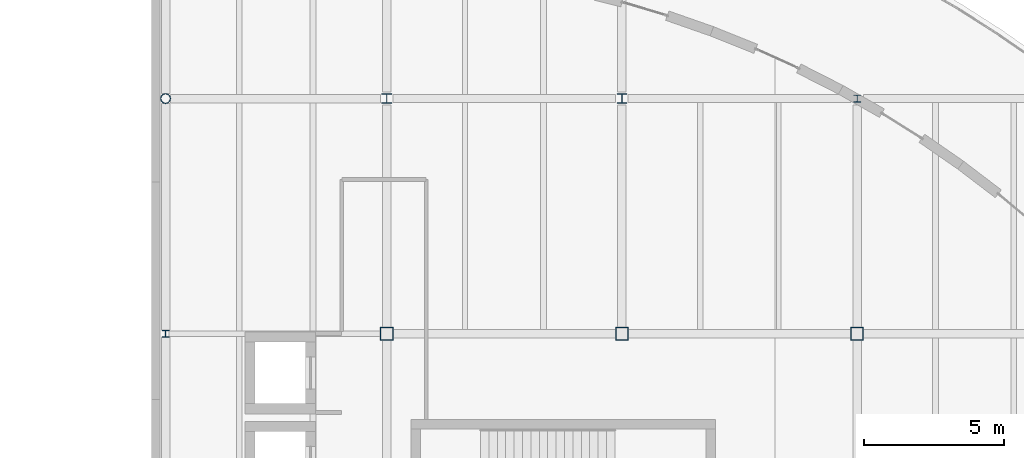
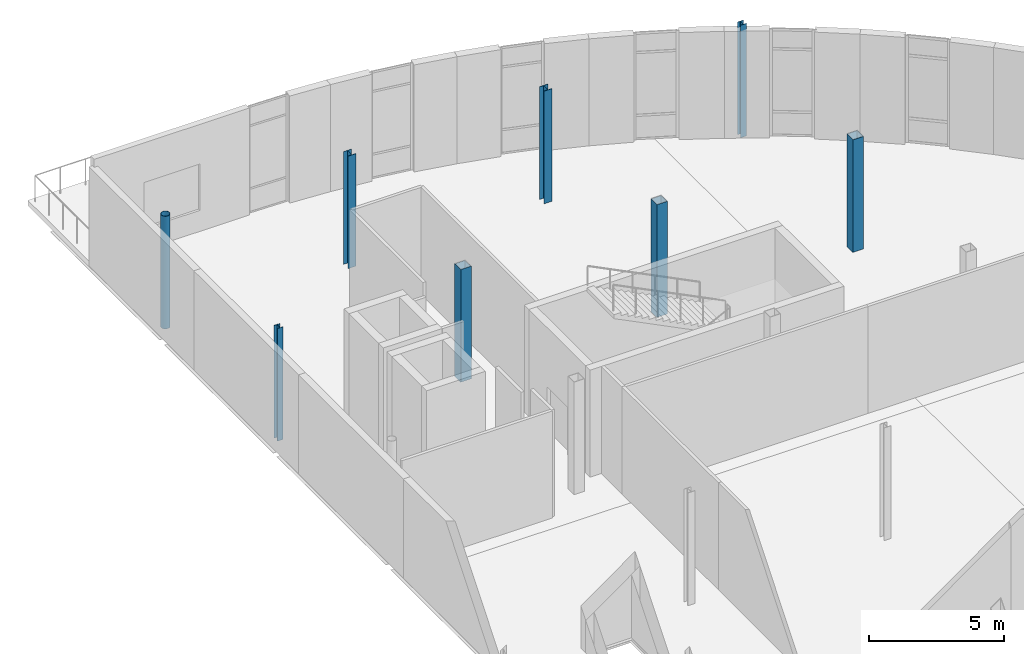
# One storey, part 10 of 57: 8 columns.
"""IFC4 building model written with IfcOpenShell, lengths in metres."""

from ifc_helpers import new_model, si_unit, direction, frame, origin, origin_2d, place, context, subcontext, project, spatial, hollow_rectangle, hollow_circle, i_section, extrude, material, material_profile, profile_set, type_object, element, save


model = new_model("IFC4")

# Units and contexts
model_context = context("Model", 3, precision=1e-05, world=origin(), true_north=direction((0.0, 1.0)))
body_context = subcontext(model_context, "Body", "Model", "MODEL_VIEW")
ifc_project = project(units=[si_unit("LENGTHUNIT", "METRE"), si_unit("AREAUNIT", "SQUARE_METRE"), si_unit("VOLUMEUNIT", "CUBIC_METRE"), si_unit("PLANEANGLEUNIT", "RADIAN"), si_unit("MASSUNIT", "GRAM", prefix="KILO"), si_unit("THERMODYNAMICTEMPERATUREUNIT", "KELVIN")], contexts=[model_context])

# Site, building, storey
site_placement = place(None, origin())
site = spatial("IfcSite", under=ifc_project, at=site_placement, CompositionType="ELEMENT")
building_placement = place(site_placement, origin())
building = spatial("IfcBuilding", under=site, at=building_placement, Name="Lustrewick Department Store", CompositionType="ELEMENT")
storey_placement = place(building_placement, frame((0.0, 0.0, 26.699951171875)))
storey = spatial("IfcBuildingStorey", under=building, at=storey_placement, Name="L06", CompositionType="ELEMENT", Elevation=26.699951171875)

# Columns
ifc_material = material(Name="Structural steel Q355B", Category="steel")
ifc_material_profile_1 = material_profile(ifc_material, hollow_rectangle(XDim=0.449951171875, YDim=0.449951171875, WallThickness=0.01806640625, at=origin_2d()), Name="BOX 450x450x18")
ifc_profile_set_1 = profile_set([ifc_material_profile_1], Name="Structural steel Q355B")
column_type_1 = type_object("IfcColumnType", Name="C07", PredefinedType="COLUMN", material=ifc_profile_set_1)
for number, where, z_axis, x_axis, name in (
    (1, (117.60009765625, 84.0, 0.0), (0.0, 0.0, 1.0), (1.0, 0.0, 0.0), "L06 V4 Column C07"),
    (2, (126.0, 84.0, 0.0), (0.0, 0.0, 1.0), (1.0, 0.0, 0.0), "L06 V4 Column C07"),
    (3, (134.39990234375, 84.0, 0.0), (0.0, 0.0, 1.0), (1.0, 0.0, 0.0), "L06 V4 Column C07"),
):
    element("IfcColumn", number, at=place(storey_placement, frame(where, z_axis=z_axis, x_axis=x_axis)), inside=storey, type_object=column_type_1, Name=name, PredefinedType="COLUMN", context=body_context, shape_type="SweptSolid", body=[
        extrude(hollow_rectangle(XDim=0.449951171875, YDim=0.449951171875, WallThickness=0.01806640625, at=origin_2d()), origin(), (0.0, 0.0, 1.0), 5.10009765625),
    ])
ifc_material_profile_2 = material_profile(ifc_material, i_section(OverallWidth=0.347900390625, OverallDepth=0.343994140625, WebThickness=0.010009765625, FlangeThickness=0.01611328125, FilletRadius=0.02001953125, at=origin_2d()), Name="HW 344x348x10x16")
ifc_profile_set_2 = profile_set([ifc_material_profile_2], Name="Structural steel Q355B")
column_type_2 = type_object("IfcColumnType", Name="C14", PredefinedType="COLUMN", material=ifc_profile_set_2)
for number, where, z_axis, x_axis, name in (
    (4, (117.60009765625, 92.39990234375, 0.0), (0.0, 0.0, 1.0), (1.0, 0.0, 0.0), "L06 V4 Column C14"),
    (5, (126.0, 92.39990234375, 0.0), (0.0, 0.0, 1.0), (1.0, 0.0, 0.0), "L06 V4 Column C14"),
):
    element("IfcColumn", number, at=place(storey_placement, frame(where, z_axis=z_axis, x_axis=x_axis)), inside=storey, type_object=column_type_2, Name=name, PredefinedType="COLUMN", context=body_context, shape_type="SweptSolid", body=[
        extrude(i_section(OverallWidth=0.347900390625, OverallDepth=0.343994140625, WebThickness=0.010009765625, FlangeThickness=0.01611328125, FilletRadius=0.02001953125, at=origin_2d()), origin(), (0.0, 0.0, 1.0), 5.10009765625),
    ])
ifc_material_profile_3 = material_profile(ifc_material, hollow_circle(Radius=0.177978515625, WallThickness=0.013916015625, at=origin_2d()), Name="CHS 356x14")
ifc_profile_set_3 = profile_set([ifc_material_profile_3], Name="Structural steel Q355B")
column_type_3 = type_object("IfcColumnType", Name="CE05", PredefinedType="COLUMN", material=ifc_profile_set_3)
column_placement = place(storey_placement, frame((109.699951171875, 92.39990234375, 0.0), z_axis=(0.0, 0.0, 1.0), x_axis=(1.0, 0.0, 0.0)))
element("IfcColumn", 6, at=column_placement, inside=storey, type_object=column_type_3, Name="L06 V4 Column CE05", PredefinedType="COLUMN", context=body_context, shape_type="SweptSolid", body=[
    extrude(hollow_circle(Radius=0.177978515625, WallThickness=0.013916015625, at=origin_2d()), origin(), (0.0, 0.0, 1.0), 5.10009765625),
])
ifc_material_profile_4 = material_profile(ifc_material, i_section(OverallWidth=0.25, OverallDepth=0.25, WebThickness=0.009033203125, FlangeThickness=0.013916015625, FilletRadius=0.01611328125, at=origin_2d()), Name="HW 250x250x9x14")
ifc_profile_set_4 = profile_set([ifc_material_profile_4], Name="Structural steel Q355B")
column_type_4 = type_object("IfcColumnType", Name="CE08", PredefinedType="COLUMN", material=ifc_profile_set_4)
for number, where, z_axis, x_axis, name in (
    (7, (109.699951171875, 84.0, 0.0), (0.0, 0.0, 1.0), (1.0, 0.0, 0.0), "L06 V4 Column CE08"),
    (8, (134.39990234375, 92.39990234375, 0.0), (0.0, 0.0, 1.0), (1.0, 0.0, 0.0), "L06 V4 Column CE08"),
):
    element("IfcColumn", number, at=place(storey_placement, frame(where, z_axis=z_axis, x_axis=x_axis)), inside=storey, type_object=column_type_4, Name=name, PredefinedType="COLUMN", context=body_context, shape_type="SweptSolid", body=[
        extrude(i_section(OverallWidth=0.25, OverallDepth=0.25, WebThickness=0.009033203125, FlangeThickness=0.013916015625, FilletRadius=0.01611328125, at=origin_2d()), origin(), (0.0, 0.0, 1.0), 5.10009765625),
    ])

save(model, "model.ifc")
